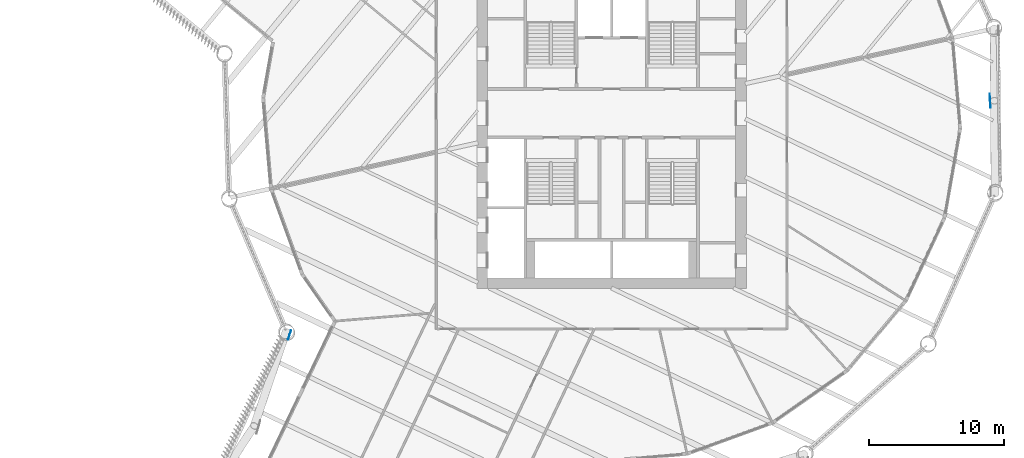
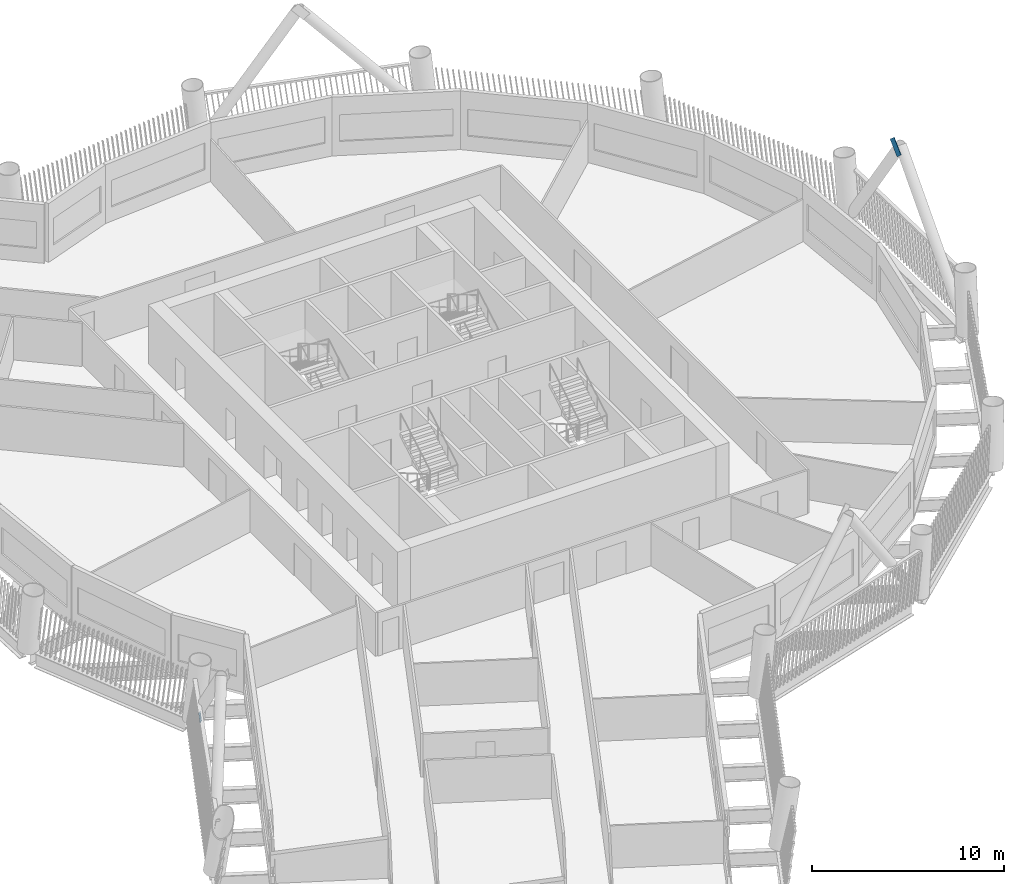
# One storey, part 10 of 22: 2 discrete accessories.
"""IFC4 building model written with IfcOpenShell, lengths in metres."""

from ifc_helpers import new_model, si_unit, direction, frame, origin, origin_2d, place, context, subcontext, project, spatial, rectangle, extrude, material, material_profile, profile_set, type_object, element, save


model = new_model("IFC4")

# Units and contexts
model_context = context("Model", 3, precision=1e-05, world=origin(), true_north=direction((0.0, 1.0)))
body_context = subcontext(model_context, "Body", "Model", "MODEL_VIEW")
ifc_project = project(units=[si_unit("LENGTHUNIT", "METRE"), si_unit("AREAUNIT", "SQUARE_METRE"), si_unit("VOLUMEUNIT", "CUBIC_METRE"), si_unit("PLANEANGLEUNIT", "RADIAN"), si_unit("MASSUNIT", "GRAM", prefix="KILO")], contexts=[model_context])

# Site, building, storey
site_placement = place(None, origin())
site = spatial("IfcSite", under=ifc_project, at=site_placement, CompositionType="ELEMENT")
building_placement = place(site_placement, origin())
building = spatial("IfcBuilding", under=site, at=building_placement, Name="Tarsis Ring Headquarters", CompositionType="ELEMENT")
storey_placement = place(building_placement, frame((0.0, 0.0, 108.39990234375)))
storey = spatial("IfcBuildingStorey", under=building, at=storey_placement, Name="L24", CompositionType="ELEMENT", Elevation=108.39990234375)

# Discrete accessories
ifc_material = material(Name="Structural steel S355", Category="steel")
ifc_material_profile = material_profile(ifc_material, rectangle(XDim=0.02490234375, YDim=0.5, at=origin_2d()), Name="PL 25x500")
ifc_profile_set = profile_set([ifc_material_profile], Name="Structural steel S355")
discrete_accessory_type = type_object("IfcDiscreteAccessoryType", Name="Gusset plate Exo brace 25", PredefinedType="BRACKET", material=ifc_profile_set)
discrete_accessory_1_placement = place(storey_placement, frame((-23.82421875, -16.282470703125, 0.0), z_axis=(-0.220684052822, -0.651310899258, 0.72601147466), x_axis=(0.947109775368, -0.32090975897, 0.0)))
element("IfcDiscreteAccessory", 1, at=discrete_accessory_1_placement, inside=storey, type_object=discrete_accessory_type, Name="Gusset plate GP5", PredefinedType="BRACKET", context=body_context, shape_type="SweptSolid", body=[
    extrude(rectangle(XDim=0.02490234375, YDim=0.5, at=origin_2d()), origin(), (0.0, 0.0, 1.0), 0.5),
])
discrete_accessory_2_placement = place(storey_placement, frame((28.0830078125, 0.576904296875, 7.425537109375), z_axis=(-0.038581536895, 0.661258239942, 0.749165539196), x_axis=(-0.998302226459, -0.058246584852, 0.0)))
element("IfcDiscreteAccessory", 2, at=discrete_accessory_2_placement, inside=storey, type_object=discrete_accessory_type, Name="Gusset plate GP5", PredefinedType="BRACKET", context=body_context, shape_type="SweptSolid", body=[
    extrude(rectangle(XDim=0.02490234375, YDim=0.5, at=origin_2d()), origin(), (0.0, 0.0, 1.0), 0.999755859375),
])

save(model, "model.ifc")
